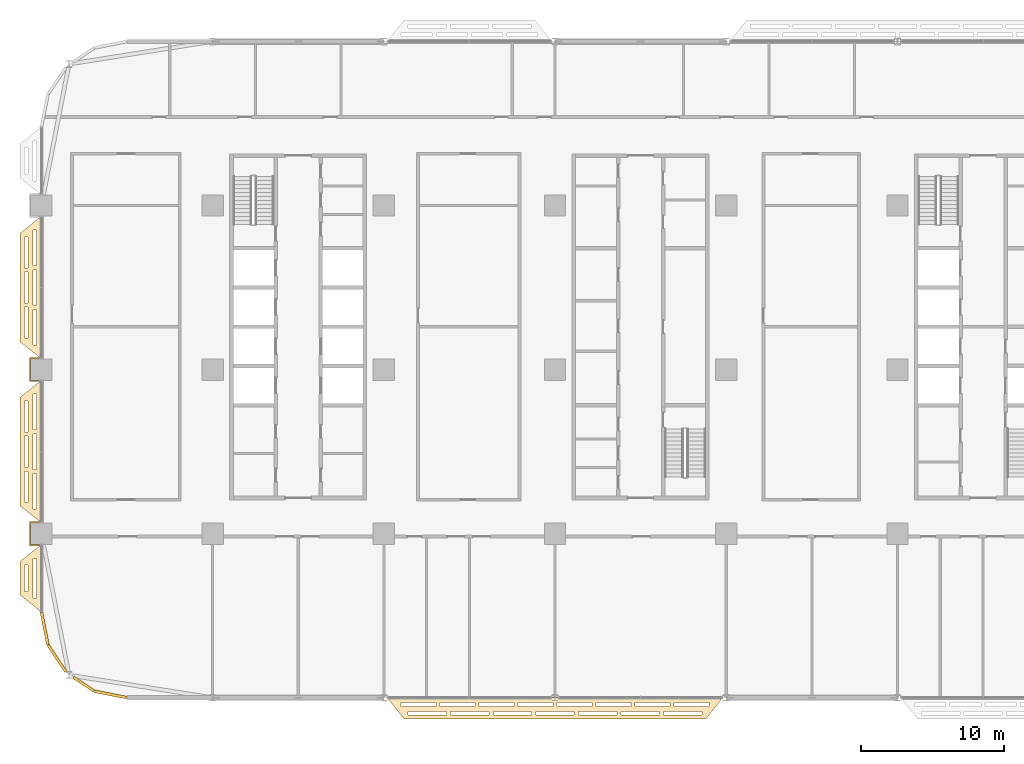
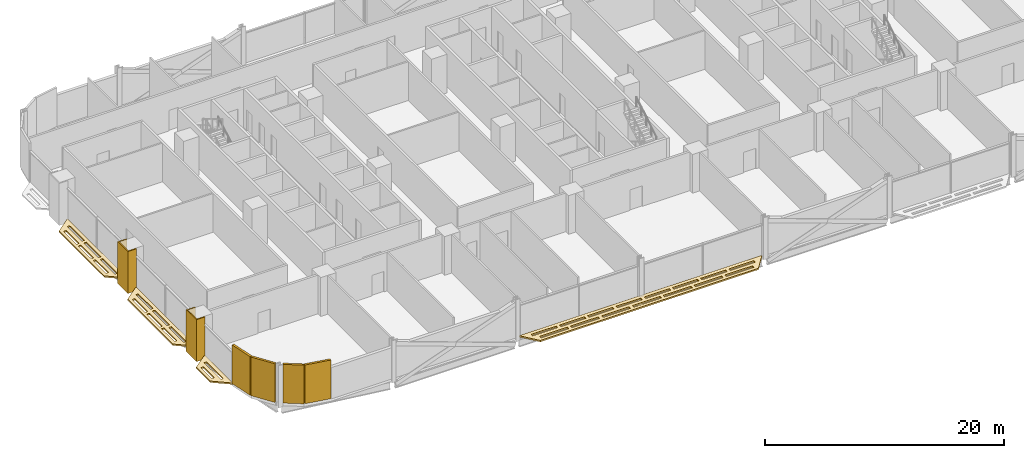
# One storey, part 25 of 30: 10 coverings.
"""IFC4 building model written with IfcOpenShell, lengths in metres."""

from ifc_helpers import new_model, si_unit, direction, frame, origin, origin_2d, place, context, subcontext, project, spatial, polyline, rectangle, outline, extrude, material, layer, layer_set, type_object, element, save


model = new_model("IFC4")

# Units and contexts
model_context = context("Model", 3, precision=1e-05, world=origin(), true_north=direction((0.0, 1.0)))
body_context = subcontext(model_context, "Body", "Model", "MODEL_VIEW")
ifc_project = project(units=[si_unit("LENGTHUNIT", "METRE"), si_unit("AREAUNIT", "SQUARE_METRE"), si_unit("VOLUMEUNIT", "CUBIC_METRE"), si_unit("PLANEANGLEUNIT", "RADIAN"), si_unit("MASSUNIT", "GRAM", prefix="KILO")], contexts=[model_context])

# Site, building, storey
site_placement = place(None, origin())
site = spatial("IfcSite", under=ifc_project, at=site_placement, CompositionType="ELEMENT")
building_placement = place(site_placement, origin())
building = spatial("IfcBuilding", under=site, at=building_placement, Name="Mahtab Terrace Research Tower", CompositionType="ELEMENT")
storey_placement = place(building_placement, frame((0.0, 0.0, 50.300048828125)))
storey = spatial("IfcBuildingStorey", under=building, at=storey_placement, Name="L11", CompositionType="ELEMENT", Elevation=50.300048828125)

# Coverings
ifc_material_1 = material(Name="Black aluminium cladding panel", Category="aluminium")
ifc_layer_1 = layer(ifc_material_1, 0.199951171875)
ifc_layer_set_1 = layer_set([ifc_layer_1], Name="Black metal corner cladding 200")
covering_type_1 = type_object("IfcCoveringType", Name="Black metal corner cladding 200", PredefinedType="CLADDING", material=ifc_layer_set_1)
covering_1_placement = place(storey_placement, frame((-41.771484375, -18.14794921875, 0.0), z_axis=(0.0, 0.0, 1.0), x_axis=(0.195212442692, -0.980760981187, 0.0)))
element("IfcCovering", 1, at=covering_1_placement, inside=storey, type_object=covering_type_1, Name="Corner cladding L11 19", PredefinedType="CLADDING", context=body_context, shape_type="SweptSolid", body=[
    extrude(rectangle(XDim=2.30126953125, YDim=0.199951171875, at=origin_2d()), origin(), (0.0, 0.0, 1.0), 3.9599609375),
])
covering_2_placement = place(storey_placement, frame((-40.911376953125, -20.2421875, 0.0), z_axis=(0.0, 0.0, 1.0), x_axis=(0.555291490808, -0.831655794326, 0.0)))
element("IfcCovering", 2, at=covering_2_placement, inside=storey, type_object=covering_type_1, Name="Corner cladding L11 20", PredefinedType="CLADDING", context=body_context, shape_type="SweptSolid", body=[
    extrude(rectangle(XDim=2.235595703125, YDim=0.199951171875, at=origin_2d()), origin(), (0.0, 0.0, 1.0), 3.9599609375),
])
covering_3_placement = place(storey_placement, frame((-39.0380859375, -22.047607421875, 0.0), z_axis=(0.0, 0.0, 1.0), x_axis=(0.831655794326, -0.555291490808, 0.0)))
element("IfcCovering", 3, at=covering_3_placement, inside=storey, type_object=covering_type_1, Name="Corner cladding L11 21", PredefinedType="CLADDING", context=body_context, shape_type="SweptSolid", body=[
    extrude(rectangle(XDim=1.74462890625, YDim=0.199951171875, at=origin_2d()), origin(), (0.0, 0.0, 1.0), 3.9599609375),
])
covering_4_placement = place(storey_placement, frame((-37.14794921875, -22.771484375, 0.0), z_axis=(0.0, 0.0, 1.0), x_axis=(0.980760981187, -0.195212442692, 0.0)))
element("IfcCovering", 4, at=covering_4_placement, inside=storey, type_object=covering_type_1, Name="Corner cladding L11 22", PredefinedType="CLADDING", context=body_context, shape_type="SweptSolid", body=[
    extrude(rectangle(XDim=2.30126953125, YDim=0.199951171875, at=origin_2d()), origin(), (0.0, 0.0, 1.0), 3.9599609375),
])
ifc_material_2 = material(Name="Dark anodised aluminium cladding", Category="aluminium")
ifc_layer_2 = layer(ifc_material_2, 0.10009765625)
ifc_layer_set_2 = layer_set([ifc_layer_2], Name="Column casing 100")
covering_type_2 = type_object("IfcCoveringType", Name="Column casing 100", PredefinedType="CLADDING", material=ifc_layer_set_2)
covering_5_placement = place(storey_placement, frame((0.0, 0.0, -0.340087890625)))
element("IfcCovering", 5, at=covering_5_placement, inside=storey, type_object=covering_type_2, Name="Column casing RC-1A L11", PredefinedType="CLADDING", context=body_context, shape_type="SweptSolid", body=[
    extrude(outline(polyline([(-42.85009765625, -10.64990234375), (-42.0, -10.64990234375), (-42.0, -10.75), (-42.75, -10.75), (-42.75, -12.25), (-42.0, -12.25), (-42.0, -12.35009765625), (-42.85009765625, -12.35009765625), (-42.85009765625, -10.64990234375)])), origin(), (0.0, 0.0, 1.0), 4.300048828125),
])
covering_6_placement = place(storey_placement, frame((0.0, 0.0, -0.340087890625)))
element("IfcCovering", 6, at=covering_6_placement, inside=storey, type_object=covering_type_2, Name="Column casing RC-1B L11", PredefinedType="CLADDING", context=body_context, shape_type="SweptSolid", body=[
    extrude(outline(polyline([(-42.85009765625, 0.85009765625), (-42.0, 0.85009765625), (-42.0, 0.75), (-42.75, 0.75), (-42.75, -0.75), (-42.0, -0.75), (-42.0, -0.85009765625), (-42.85009765625, -0.85009765625), (-42.85009765625, 0.85009765625)])), origin(), (0.0, 0.0, 1.0), 4.300048828125),
])
ifc_material_3 = material(Name="Black anodised aluminium", Category="aluminium")
ifc_layer_3 = layer(ifc_material_3, 0.14990234375)
ifc_layer_set_3 = layer_set([ifc_layer_3], Name="Horizontal sunshade band")
covering_type_3 = type_object("IfcCoveringType", Name="Horizontal sunshade band", PredefinedType="CLADDING", material=ifc_layer_set_3)
covering_7_placement = place(storey_placement, frame((0.0, 0.0, -0.150146484375)))
element("IfcCovering", 7, at=covering_7_placement, inside=storey, type_object=covering_type_3, Name="Sunshade band L11 16", PredefinedType="CLADDING", context=body_context, shape_type="SweptSolid", body=[
    extrude(outline(polyline([(-42.0, 10.75), (-42.0, 0.75), (-43.5, 1.949951171875), (-43.5, 9.550048828125), (-42.0, 10.75)]), holes=[polyline([(-42.35009765625, 9.77001953125), (-42.35009765625, 7.2900390625), (-42.60009765625, 7.2900390625), (-42.60009765625, 9.77001953125), (-42.35009765625, 9.77001953125)]), polyline([(-42.35009765625, 6.989990234375), (-42.35009765625, 4.510009765625), (-42.60009765625, 4.510009765625), (-42.60009765625, 6.989990234375), (-42.35009765625, 6.989990234375)]), polyline([(-42.35009765625, 4.2099609375), (-42.35009765625, 1.72998046875), (-42.60009765625, 1.72998046875), (-42.60009765625, 4.2099609375), (-42.35009765625, 4.2099609375)]), polyline([(-42.949951171875, 9.2900390625), (-42.949951171875, 7.1298828125), (-43.199951171875, 7.1298828125), (-43.199951171875, 9.2900390625), (-42.949951171875, 9.2900390625)]), polyline([(-42.949951171875, 6.830078125), (-42.949951171875, 4.669921875), (-43.199951171875, 4.669921875), (-43.199951171875, 6.830078125), (-42.949951171875, 6.830078125)]), polyline([(-42.949951171875, 4.3701171875), (-42.949951171875, 2.2099609375), (-43.199951171875, 2.2099609375), (-43.199951171875, 4.3701171875), (-42.949951171875, 4.3701171875)])]), origin(), (0.0, 0.0, 1.0), 0.150146484375),
])
covering_8_placement = place(storey_placement, frame((0.0, 0.0, -0.150146484375)))
element("IfcCovering", 8, at=covering_8_placement, inside=storey, type_object=covering_type_3, Name="Sunshade band L11 17", PredefinedType="CLADDING", context=body_context, shape_type="SweptSolid", body=[
    extrude(outline(polyline([(-42.0, -0.75), (-42.0, -10.75), (-43.5, -9.550048828125), (-43.5, -1.949951171875), (-42.0, -0.75)]), holes=[polyline([(-42.35009765625, -1.72998046875), (-42.35009765625, -4.2099609375), (-42.60009765625, -4.2099609375), (-42.60009765625, -1.72998046875), (-42.35009765625, -1.72998046875)]), polyline([(-42.35009765625, -4.510009765625), (-42.35009765625, -6.989990234375), (-42.60009765625, -6.989990234375), (-42.60009765625, -4.510009765625), (-42.35009765625, -4.510009765625)]), polyline([(-42.35009765625, -7.2900390625), (-42.35009765625, -9.77001953125), (-42.60009765625, -9.77001953125), (-42.60009765625, -7.2900390625), (-42.35009765625, -7.2900390625)]), polyline([(-42.949951171875, -2.2099609375), (-42.949951171875, -4.3701171875), (-43.199951171875, -4.3701171875), (-43.199951171875, -2.2099609375), (-42.949951171875, -2.2099609375)]), polyline([(-42.949951171875, -4.669921875), (-42.949951171875, -6.830078125), (-43.199951171875, -6.830078125), (-43.199951171875, -4.669921875), (-42.949951171875, -4.669921875)]), polyline([(-42.949951171875, -7.1298828125), (-42.949951171875, -9.2900390625), (-43.199951171875, -9.2900390625), (-43.199951171875, -7.1298828125), (-42.949951171875, -7.1298828125)])]), origin(), (0.0, 0.0, 1.0), 0.150146484375),
])
covering_9_placement = place(storey_placement, frame((0.0, 0.0, -0.150146484375)))
element("IfcCovering", 9, at=covering_9_placement, inside=storey, type_object=covering_type_3, Name="Sunshade band L11 18", PredefinedType="CLADDING", context=body_context, shape_type="SweptSolid", body=[
    extrude(outline(polyline([(-42.0, -12.25), (-42.0, -17.0), (-43.5, -15.800048828125), (-43.5, -13.449951171875), (-42.0, -12.25)]), holes=[polyline([(-42.35009765625, -13.22998046875), (-42.35009765625, -16.02001953125), (-42.60009765625, -16.02001953125), (-42.60009765625, -13.22998046875), (-42.35009765625, -13.22998046875)]), polyline([(-42.949951171875, -13.7099609375), (-42.949951171875, -15.5400390625), (-43.199951171875, -15.5400390625), (-43.199951171875, -13.7099609375), (-42.949951171875, -13.7099609375)])]), origin(), (0.0, 0.0, 1.0), 0.150146484375),
])
covering_10_placement = place(storey_placement, frame((0.0, 0.0, -0.150146484375)))
element("IfcCovering", 10, at=covering_10_placement, inside=storey, type_object=covering_type_3, Name="Sunshade band L11 25", PredefinedType="CLADDING", context=body_context, shape_type="SweptSolid", body=[
    extrude(outline(polyline([(-17.761962890625, -23.0), (5.761962890625, -23.0), (4.56201171875, -24.5), (-16.56201171875, -24.5), (-17.761962890625, -23.0)]), holes=[polyline([(-16.781982421875, -23.35009765625), (-14.34912109375, -23.35009765625), (-14.34912109375, -23.60009765625), (-16.781982421875, -23.60009765625), (-16.781982421875, -23.35009765625)]), polyline([(-14.049072265625, -23.35009765625), (-11.615966796875, -23.35009765625), (-11.615966796875, -23.60009765625), (-14.049072265625, -23.60009765625), (-14.049072265625, -23.35009765625)]), polyline([(-11.31591796875, -23.35009765625), (-8.883056640625, -23.35009765625), (-8.883056640625, -23.60009765625), (-11.31591796875, -23.60009765625), (-11.31591796875, -23.35009765625)]), polyline([(-8.5830078125, -23.35009765625), (-6.14990234375, -23.35009765625), (-6.14990234375, -23.60009765625), (-8.5830078125, -23.60009765625), (-8.5830078125, -23.35009765625)]), polyline([(-5.85009765625, -23.35009765625), (-3.4169921875, -23.35009765625), (-3.4169921875, -23.60009765625), (-5.85009765625, -23.60009765625), (-5.85009765625, -23.35009765625)]), polyline([(-3.116943359375, -23.35009765625), (-0.68408203125, -23.35009765625), (-0.68408203125, -23.60009765625), (-3.116943359375, -23.60009765625), (-3.116943359375, -23.35009765625)]), polyline([(-0.384033203125, -23.35009765625), (2.049072265625, -23.35009765625), (2.049072265625, -23.60009765625), (-0.384033203125, -23.60009765625), (-0.384033203125, -23.35009765625)]), polyline([(2.34912109375, -23.35009765625), (4.781982421875, -23.35009765625), (4.781982421875, -23.60009765625), (2.34912109375, -23.60009765625), (2.34912109375, -23.35009765625)]), polyline([(-16.302001953125, -23.949951171875), (-13.615966796875, -23.949951171875), (-13.615966796875, -24.199951171875), (-16.302001953125, -24.199951171875), (-16.302001953125, -23.949951171875)]), polyline([(-13.31591796875, -23.949951171875), (-10.62890625, -23.949951171875), (-10.62890625, -24.199951171875), (-13.31591796875, -24.199951171875), (-13.31591796875, -23.949951171875)]), polyline([(-10.3291015625, -23.949951171875), (-7.64306640625, -23.949951171875), (-7.64306640625, -24.199951171875), (-10.3291015625, -24.199951171875), (-10.3291015625, -23.949951171875)]), polyline([(-7.343017578125, -23.949951171875), (-4.656982421875, -23.949951171875), (-4.656982421875, -24.199951171875), (-7.343017578125, -24.199951171875), (-7.343017578125, -23.949951171875)]), polyline([(-4.35693359375, -23.949951171875), (-1.6708984375, -23.949951171875), (-1.6708984375, -24.199951171875), (-4.35693359375, -24.199951171875), (-4.35693359375, -23.949951171875)]), polyline([(-1.37109375, -23.949951171875), (1.31591796875, -23.949951171875), (1.31591796875, -24.199951171875), (-1.37109375, -24.199951171875), (-1.37109375, -23.949951171875)]), polyline([(1.615966796875, -23.949951171875), (4.302001953125, -23.949951171875), (4.302001953125, -24.199951171875), (1.615966796875, -24.199951171875), (1.615966796875, -23.949951171875)])]), origin(), (0.0, 0.0, 1.0), 0.150146484375),
])

save(model, "model.ifc")
